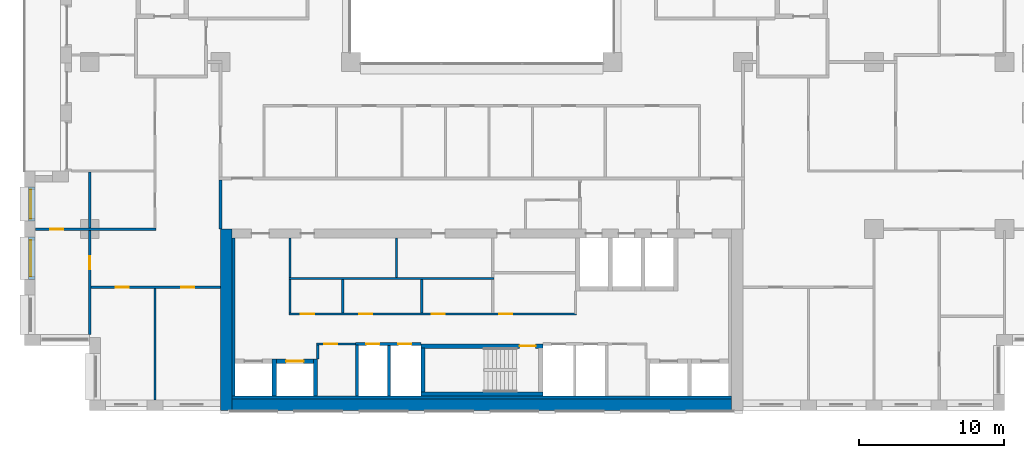
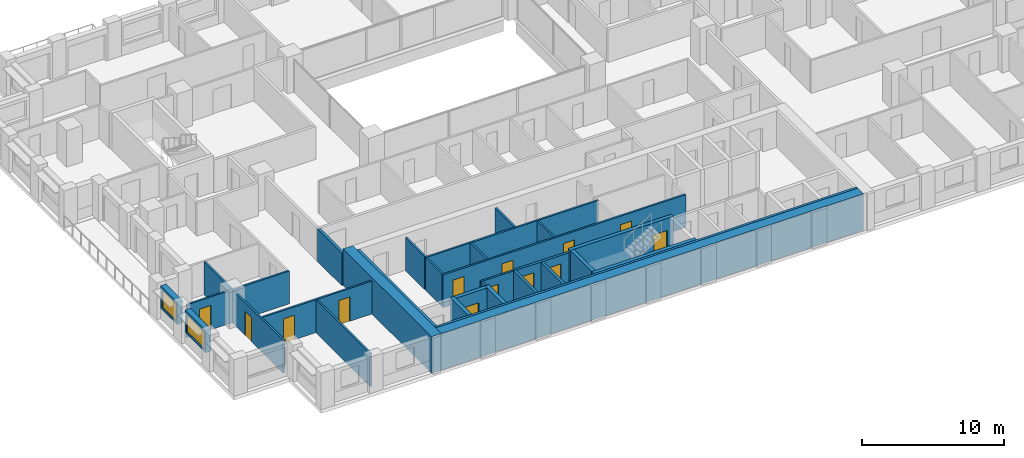
# One storey, part 8 of 16: 30 walls, 13 doors, 2 windows, 15 openings.
"""IFC4 building model written with IfcOpenShell, lengths in metres."""

from ifc_helpers import new_model, si_unit, direction, frame, frame_2d, origin, place, context, subcontext, project, spatial, rectangle, extrude, material, layer, layer_set, type_object, element, fill, save


model = new_model("IFC4")

# Units and contexts
model_context = context("Model", 3, precision=1e-05, world=origin(), true_north=direction((0.0, 1.0)))
body_context = subcontext(model_context, "Body", "Model", "MODEL_VIEW")
ifc_project = project(units=[si_unit("LENGTHUNIT", "METRE"), si_unit("AREAUNIT", "SQUARE_METRE"), si_unit("VOLUMEUNIT", "CUBIC_METRE"), si_unit("PLANEANGLEUNIT", "RADIAN"), si_unit("MASSUNIT", "GRAM", prefix="KILO")], contexts=[model_context])

# Site, building, storey
site_placement = place(None, origin())
site = spatial("IfcSite", under=ifc_project, at=site_placement, CompositionType="ELEMENT")
building_placement = place(site_placement, origin())
building = spatial("IfcBuilding", under=site, at=building_placement, Name="Brigalow Station Residences", CompositionType="ELEMENT")
storey_placement = place(building_placement, frame((0.0, 0.0, 108.75)))
storey = spatial("IfcBuildingStorey", under=building, at=storey_placement, Name="L31", CompositionType="ELEMENT", Elevation=108.75)

# Wall, opening, window
ifc_material_1 = material(Name="Clay brick masonry", Category="masonry")
ifc_layer_1 = layer(ifc_material_1, 0.449951171875)
ifc_layer_set_1 = layer_set([ifc_layer_1], Name="BRICK INFILL WALL 450")
wall_type_1 = type_object("IfcWallType", Name="BRICK INFILL WALL 450", PredefinedType="SOLIDWALL", material=ifc_layer_set_1)
wall_1_placement = place(storey_placement, frame((5.02490234375, 15.39990234375, 0.89990234375), z_axis=(0.0, 0.0, 1.0), x_axis=(0.0, -1.0, 0.0)))
wall_1 = element("IfcWall", 1, at=wall_1_placement, inside=storey, type_object=wall_type_1, Name="L31/ewall/W-L31-47", PredefinedType="SOLIDWALL", context=body_context, shape_type="SweptSolid", body=[
    extrude(rectangle(XDim=2.349853515625, YDim=0.449951171875, at=frame_2d((1.1748046875, 0.0))), origin(), (0.0, 0.0, 1.0), 1.93017578125),
])
opening_1_placement = place(wall_1_placement, frame((0.175048828125, 0.0, 0.14990234375)))
opening_1 = element("IfcOpeningElement", 2, at=opening_1_placement, cuts=wall_1, Name="Opening WT-7", PredefinedType="OPENING", context=body_context, shape_type="SweptSolid", body=[
    extrude(rectangle(XDim=2.0, YDim=1.5, at=frame_2d((1.0, 0.75))), frame((0.0, 0.23486328125, 0.0), z_axis=(0.0, -1.0, 0.0), x_axis=(1.0, 0.0, 0.0)), (0.0, 0.0, 1.0), 0.469970703125),
])
ifc_material_2 = material(Name="Anodised aluminium frame with double glazing", Category="aluminium")
window_type_1 = type_object("IfcWindowType", Name="WINDOW 2000x1500", PartitioningType="SINGLE_PANEL", PredefinedType="WINDOW", material=ifc_material_2)
window_1_placement = place(opening_1_placement, origin())
window_1 = element("IfcWindow", 3, at=window_1_placement, inside=storey, type_object=window_type_1, Name="L31/window/W-L31-47", OverallHeight=1.5, OverallWidth=2.0, PartitioningType="SINGLE_PANEL", PredefinedType="WINDOW", context=body_context, shape_type="SweptSolid", body=[
    extrude(rectangle(XDim=2.0, YDim=1.5, at=frame_2d((1.0, 0.75))), frame((0.0, -0.06494140625, 0.0), z_axis=(0.0, -1.0, 0.0), x_axis=(1.0, 0.0, 0.0)), (0.0, 0.0, 1.0), 0.06005859375),
])
fill(opening_1, window_1)

wall_2_placement = place(storey_placement, frame((5.02490234375, 11.949951171875, 0.89990234375), z_axis=(0.0, 0.0, 1.0), x_axis=(0.0, -1.0, 0.0)))
wall_2 = element("IfcWall", 4, at=wall_2_placement, inside=storey, type_object=wall_type_1, Name="L31/ewall/W-L31-48", PredefinedType="SOLIDWALL", context=body_context, shape_type="SweptSolid", body=[
    extrude(rectangle(XDim=2.89990234375, YDim=0.449951171875, at=frame_2d((1.449951171875, 0.0))), origin(), (0.0, 0.0, 1.0), 1.93017578125),
])
opening_2_placement = place(wall_2_placement, frame((0.199951171875, 0.0, 0.14990234375)))
opening_2 = element("IfcOpeningElement", 5, at=opening_2_placement, cuts=wall_2, Name="Opening WT-5", PredefinedType="OPENING", context=body_context, shape_type="SweptSolid", body=[
    extrude(rectangle(XDim=2.5, YDim=1.5, at=frame_2d((1.25, 0.75))), frame((0.0, 0.23486328125, 0.0), z_axis=(0.0, -1.0, 0.0), x_axis=(1.0, 0.0, 0.0)), (0.0, 0.0, 1.0), 0.469970703125),
])
ifc_material_3 = material(Name="Anodised aluminium frame with double glazing", Category="aluminium")
window_type_2 = type_object("IfcWindowType", Name="WINDOW 2500x1500", PartitioningType="SINGLE_PANEL", PredefinedType="WINDOW", material=ifc_material_3)
window_2_placement = place(opening_2_placement, origin())
window_2 = element("IfcWindow", 6, at=window_2_placement, inside=storey, type_object=window_type_2, Name="L31/window/W-L31-48", OverallHeight=1.5, OverallWidth=2.5, PartitioningType="SINGLE_PANEL", PredefinedType="WINDOW", context=body_context, shape_type="SweptSolid", body=[
    extrude(rectangle(XDim=2.5, YDim=1.5, at=frame_2d((1.25, 0.75))), frame((0.0, -0.06494140625, 0.0), z_axis=(0.0, -1.0, 0.0), x_axis=(1.0, 0.0, 0.0)), (0.0, 0.0, 1.0), 0.06005859375),
])
fill(opening_2, window_2)

# Walls
ifc_material_4 = material(Name="Concrete C65", Category="concrete")
ifc_layer_2 = layer(ifc_material_4, 0.199951171875)
ifc_layer_set_2 = layer_set([ifc_layer_2], Name="CORE SHEAR WALL 200 C65")
wall_type_2 = type_object("IfcWallType", Name="CORE SHEAR WALL 200 C65", PredefinedType="SHEAR", material=ifc_layer_set_2)
wall_3_placement = place(storey_placement, frame((18.89990234375, 1.0, 0.0), z_axis=(0.0, 0.0, 1.0), x_axis=(0.0, 1.0, 0.0)))
element("IfcWall", 7, at=wall_3_placement, inside=storey, type_object=wall_type_2, Name="CORE WALL LIN-W L31", PredefinedType="SHEAR", context=body_context, shape_type="SweptSolid", body=[
    extrude(rectangle(XDim=10.89990234375, YDim=0.199951171875, at=frame_2d((5.449951171875, 0.0))), origin(), (0.0, 0.0, 1.0), 3.14990234375),
])
wall_4_placement = place(storey_placement, frame((18.800048828125, 0.89990234375, 0.0), z_axis=(0.0, 0.0, 1.0), x_axis=(1.0, 0.0, 0.0)))
element("IfcWall", 8, at=wall_4_placement, inside=storey, type_object=wall_type_2, Name="CORE WALL LIN-S L31", PredefinedType="SHEAR", context=body_context, shape_type="SweptSolid", body=[
    extrude(rectangle(XDim=34.39990234375, YDim=0.199951171875, at=frame_2d((17.199951171875, 0.0))), origin(), (0.0, 0.0, 1.0), 3.14990234375),
])

# Wall, opening, door
ifc_material_5 = material(Name="Concrete C65", Category="concrete")
ifc_layer_3 = layer(ifc_material_5, 0.300048828125)
ifc_layer_set_3 = layer_set([ifc_layer_3], Name="CORE SHEAR WALL 300 C65")
wall_type_3 = type_object("IfcWallType", Name="CORE SHEAR WALL 300 C65", PredefinedType="SHEAR", material=ifc_layer_set_3)
wall_5_placement = place(storey_placement, frame((21.85009765625, 3.39990234375, 0.0), z_axis=(0.0, 0.0, 1.0), x_axis=(1.0, 0.0, 0.0)))
wall_5 = element("IfcWall", 9, at=wall_5_placement, inside=storey, type_object=wall_type_3, Name="CORE WALL SH-C2-N L31", PredefinedType="SHEAR", context=body_context, shape_type="SweptSolid", body=[
    extrude(rectangle(XDim=2.5498046875, YDim=0.300048828125, at=frame_2d((1.27490234375, 0.0))), origin(), (0.0, 0.0, 1.0), 3.14990234375),
])
opening_3_placement = place(wall_5_placement, frame((0.675048828125, 0.0, 0.0)))
opening_3 = element("IfcOpeningElement", 10, at=opening_3_placement, cuts=wall_5, Name="Opening LD-LB2", PredefinedType="OPENING", context=body_context, shape_type="SweptSolid", body=[
    extrude(rectangle(XDim=1.199951171875, YDim=2.10009765625, at=frame_2d((0.60009765625, 1.050048828125))), frame((0.0, 0.16015625, 0.0), z_axis=(0.0, -1.0, 0.0), x_axis=(1.0, 0.0, 0.0)), (0.0, 0.0, 1.0), 0.320068359375),
])
ifc_material_6 = material(Name="Stainless steel sliding door leaves", Category="steel")
door_type_1 = type_object("IfcDoorType", Name="LIFT LANDING DOOR 1200 x 2100", OperationType="DOUBLE_DOOR_SLIDING", PredefinedType="DOOR", material=ifc_material_6)
door_1_placement = place(opening_3_placement, origin())
door_1 = element("IfcDoor", 11, at=door_1_placement, inside=storey, type_object=door_type_1, Name="LANDING DOOR LB2", OperationType="DOUBLE_DOOR_SLIDING", OverallHeight=2.10009765625, OverallWidth=1.199951171875, PredefinedType="DOOR", context=body_context, shape_type="SweptSolid", body=[
    extrude(rectangle(XDim=1.199951171875, YDim=2.10009765625, at=frame_2d((0.60009765625, 1.050048828125))), frame((0.0, 0.02490234375, 0.0), z_axis=(0.0, -1.0, 0.0), x_axis=(1.0, 0.0, 0.0)), (0.0, 0.0, 1.0), 0.050048828125),
])
fill(opening_3, door_1)

# Walls
for number, where, z_axis, x_axis, name in (
    (12, (21.699951171875, 1.0, 0.0), (0.0, 0.0, 1.0), (0.0, 1.0, 0.0), "CORE WALL SH-C2-W L31"),
    (13, (24.550048828125, 1.0, 0.0), (0.0, 0.0, 1.0), (0.0, 1.0, 0.0), "CORE WALL SH-C2-E L31"),
):
    element("IfcWall", number, at=place(storey_placement, frame(where, z_axis=z_axis, x_axis=x_axis)), inside=storey, type_object=wall_type_3, Name=name, PredefinedType="SHEAR", context=body_context, shape_type="SweptSolid", body=[
        extrude(rectangle(XDim=2.550048828125, YDim=0.300048828125, at=frame_2d((1.27490234375, 0.0))), origin(), (0.0, 0.0, 1.0), 3.14990234375),
    ])
wall_6_placement = place(storey_placement, frame((31.800048828125, 1.14990234375, 0.0), z_axis=(0.0, 0.0, 1.0), x_axis=(1.0, 0.0, 0.0)))
element("IfcWall", 14, at=wall_6_placement, inside=storey, type_object=wall_type_3, Name="CORE WALL ST-S2-S L31", PredefinedType="SHEAR", context=body_context, shape_type="SweptSolid", body=[
    extrude(rectangle(XDim=8.39990234375, YDim=0.300048828125, at=frame_2d((4.199951171875, 0.0))), origin(), (0.0, 0.0, 1.0), 3.14990234375),
])

# Wall, opening, door
wall_7_placement = place(storey_placement, frame((31.800048828125, 4.449951171875, 0.0), z_axis=(0.0, 0.0, 1.0), x_axis=(1.0, 0.0, 0.0)))
wall_7 = element("IfcWall", 15, at=wall_7_placement, inside=storey, type_object=wall_type_3, Name="CORE WALL ST-S2-N L31", PredefinedType="SHEAR", context=body_context, shape_type="SweptSolid", body=[
    extrude(rectangle(XDim=8.39990234375, YDim=0.300048828125, at=frame_2d((4.199951171875, 0.0))), origin(), (0.0, 0.0, 1.0), 3.14990234375),
])
opening_4_placement = place(wall_7_placement, frame((6.800048828125, 0.0, 0.0)))
opening_4 = element("IfcOpeningElement", 16, at=opening_4_placement, cuts=wall_7, Name="Opening D-5001", PredefinedType="OPENING", context=body_context, shape_type="SweptSolid", body=[
    extrude(rectangle(XDim=1.10009765625, YDim=2.10009765625, at=frame_2d((0.550048828125, 1.050048828125))), frame((0.0, 0.16015625, 0.0), z_axis=(0.0, -1.0, 0.0), x_axis=(1.0, 0.0, 0.0)), (0.0, 0.0, 1.0), 0.320068359375),
])
ifc_material_7 = material(Name="Steel fire door leaf in steel frame", Category="steel")
door_type_2 = type_object("IfcDoorType", Name="STAIR DOOR 1100 x 2100 FD60S", OperationType="SINGLE_SWING_LEFT", PredefinedType="DOOR", material=ifc_material_7)
door_2_placement = place(opening_4_placement, frame((1.10009765625, 0.0, 0.0), z_axis=(0.0, 0.0, 1.0), x_axis=(-1.0, 0.0, 0.0)))
door_2 = element("IfcDoor", 17, at=door_2_placement, inside=storey, type_object=door_type_2, Name="D-5001", OperationType="SINGLE_SWING_LEFT", OverallHeight=2.10009765625, OverallWidth=1.10009765625, PredefinedType="DOOR", context=body_context, shape_type="SweptSolid", body=[
    extrude(rectangle(XDim=1.10009765625, YDim=2.10009765625, at=frame_2d((0.550048828125, 1.050048828125))), frame((0.0, 0.02490234375, 0.0), z_axis=(0.0, -1.0, 0.0), x_axis=(1.0, 0.0, 0.0)), (0.0, 0.0, 1.0), 0.050048828125),
])
fill(opening_4, door_2)

# Walls
wall_8_placement = place(storey_placement, frame((31.949951171875, 1.300048828125, 0.0), z_axis=(0.0, 0.0, 1.0), x_axis=(0.0, 1.0, 0.0)))
element("IfcWall", 18, at=wall_8_placement, inside=storey, type_object=wall_type_3, Name="CORE WALL ST-S2-W L31", PredefinedType="SHEAR", context=body_context, shape_type="SweptSolid", body=[
    extrude(rectangle(XDim=3.0, YDim=0.300048828125, at=frame_2d((1.5, 0.0))), origin(), (0.0, 0.0, 1.0), 3.14990234375),
])
ifc_material_8 = material(Name="Concrete C65", Category="concrete")
ifc_layer_4 = layer(ifc_material_8, 0.800048828125)
ifc_layer_set_4 = layer_set([ifc_layer_4], Name="CORE SHEAR WALL 800 C65")
wall_type_4 = type_object("IfcWallType", Name="CORE SHEAR WALL 800 C65", PredefinedType="SHEAR", material=ifc_layer_set_4)
wall_9_placement = place(storey_placement, frame((18.39990234375, 0.0, 0.0), z_axis=(0.0, 0.0, 1.0), x_axis=(0.0, 1.0, 0.0)))
element("IfcWall", 19, at=wall_9_placement, inside=storey, type_object=wall_type_4, Name="CORE WALL OUT-W L31", PredefinedType="SHEAR", context=body_context, shape_type="SweptSolid", body=[
    extrude(rectangle(XDim=12.5, YDim=0.800048828125, at=frame_2d((6.25, 0.0))), origin(), (0.0, 0.0, 1.0), 3.14990234375),
])
wall_10_placement = place(storey_placement, frame((18.800048828125, 0.39990234375, 0.0), z_axis=(0.0, 0.0, 1.0), x_axis=(1.0, 0.0, 0.0)))
element("IfcWall", 20, at=wall_10_placement, inside=storey, type_object=wall_type_4, Name="CORE WALL OUT-S L31", PredefinedType="SHEAR", context=body_context, shape_type="SweptSolid", body=[
    extrude(rectangle(XDim=34.39990234375, YDim=0.800048828125, at=frame_2d((17.199951171875, 0.0))), origin(), (0.0, 0.0, 1.0), 3.14990234375),
])

# Wall, openings, doors
ifc_material_9 = material(Name="Concrete blockwork", Category="masonry")
ifc_layer_5 = layer(ifc_material_9, 0.199951171875)
ifc_layer_set_5 = layer_set([ifc_layer_5], Name="FIRE RATED CORE PARTITION 200")
wall_type_5 = type_object("IfcWallType", Name="FIRE RATED CORE PARTITION 200", PredefinedType="PARTITIONING", material=ifc_layer_set_5)
wall_11_placement = place(storey_placement, frame((27.300048828125, 4.60009765625, 0.0), z_axis=(0.0, 0.0, 1.0), x_axis=(1.0, 0.0, 0.0)))
wall_11 = element("IfcWall", 21, at=wall_11_placement, inside=storey, type_object=wall_type_5, Name="PW-5017", PredefinedType="PARTITIONING", context=body_context, shape_type="SweptSolid", body=[
    extrude(rectangle(XDim=4.5, YDim=0.199951171875, at=frame_2d((2.25, 0.0))), origin(), (0.0, 0.0, 1.0), 2.830078125),
])
opening_5_placement = place(wall_11_placement, frame((0.75, 0.0, 0.0)))
opening_5 = element("IfcOpeningElement", 22, at=opening_5_placement, cuts=wall_11, Name="Opening D-5007", PredefinedType="OPENING", context=body_context, shape_type="SweptSolid", body=[
    extrude(rectangle(XDim=0.89990234375, YDim=2.10009765625, at=frame_2d((0.449951171875, 1.050048828125))), frame((0.0, 0.10986328125, 0.0), z_axis=(0.0, -1.0, 0.0), x_axis=(1.0, 0.0, 0.0)), (0.0, 0.0, 1.0), 0.219970703125),
])
opening_6_placement = place(wall_11_placement, frame((2.949951171875, 0.0, 0.0)))
opening_6 = element("IfcOpeningElement", 23, at=opening_6_placement, cuts=wall_11, Name="Opening D-5008", PredefinedType="OPENING", context=body_context, shape_type="SweptSolid", body=[
    extrude(rectangle(XDim=0.89990234375, YDim=2.10009765625, at=frame_2d((0.449951171875, 1.050048828125))), frame((0.0, 0.10986328125, 0.0), z_axis=(0.0, -1.0, 0.0), x_axis=(1.0, 0.0, 0.0)), (0.0, 0.0, 1.0), 0.219970703125),
])
ifc_material_10 = material(Name="Steel fire door leaf in steel frame", Category="steel")
door_type_3 = type_object("IfcDoorType", Name="RISER ACCESS DOOR 900 x 2100 FD120", OperationType="SINGLE_SWING_LEFT", PredefinedType="DOOR", material=ifc_material_10)
door_3_placement = place(opening_5_placement, frame((0.89990234375, 0.0, 0.0), z_axis=(0.0, 0.0, 1.0), x_axis=(-1.0, 0.0, 0.0)))
door_3 = element("IfcDoor", 24, at=door_3_placement, inside=storey, type_object=door_type_3, Name="D-5007", OperationType="SINGLE_SWING_RIGHT", OverallHeight=2.10009765625, OverallWidth=0.89990234375, PredefinedType="DOOR", context=body_context, shape_type="SweptSolid", body=[
    extrude(rectangle(XDim=0.89990234375, YDim=2.10009765625, at=frame_2d((0.449951171875, 1.050048828125))), frame((0.0, 0.02490234375, 0.0), z_axis=(0.0, -1.0, 0.0), x_axis=(1.0, 0.0, 0.0)), (0.0, 0.0, 1.0), 0.050048828125),
])
fill(opening_5, door_3)
door_4_placement = place(opening_6_placement, frame((0.89990234375, 0.0, 0.0), z_axis=(0.0, 0.0, 1.0), x_axis=(-1.0, 0.0, 0.0)))
door_4 = element("IfcDoor", 25, at=door_4_placement, inside=storey, type_object=door_type_3, Name="D-5008", OperationType="SINGLE_SWING_RIGHT", OverallHeight=2.10009765625, OverallWidth=0.89990234375, PredefinedType="DOOR", context=body_context, shape_type="SweptSolid", body=[
    extrude(rectangle(XDim=0.89990234375, YDim=2.10009765625, at=frame_2d((0.449951171875, 1.050048828125))), frame((0.0, 0.02490234375, 0.0), z_axis=(0.0, -1.0, 0.0), x_axis=(1.0, 0.0, 0.0)), (0.0, 0.0, 1.0), 0.050048828125),
])
fill(opening_6, door_4)

# Walls
wall_12_placement = place(storey_placement, frame((27.39990234375, 1.0, 0.0), z_axis=(0.0, 0.0, 1.0), x_axis=(0.0, 1.0, 0.0)))
element("IfcWall", 26, at=wall_12_placement, inside=storey, type_object=wall_type_5, Name="PW-5027", PredefinedType="PARTITIONING", context=body_context, shape_type="SweptSolid", body=[
    extrude(rectangle(XDim=3.52490234375, YDim=0.199951171875, at=frame_2d((1.762451171875, 0.0))), origin(), (0.0, 0.0, 1.0), 2.830078125),
])
wall_13_placement = place(storey_placement, frame((29.60009765625, 1.0, 0.0), z_axis=(0.0, 0.0, 1.0), x_axis=(0.0, 1.0, 0.0)))
element("IfcWall", 27, at=wall_13_placement, inside=storey, type_object=wall_type_5, Name="PW-5006", PredefinedType="PARTITIONING", context=body_context, shape_type="SweptSolid", body=[
    extrude(rectangle(XDim=3.5, YDim=0.199951171875, at=frame_2d((1.75, 0.0))), origin(), (0.0, 0.0, 1.0), 2.830078125),
])
wall_14_placement = place(storey_placement, frame((18.0, 12.5, 0.0), z_axis=(0.0, 0.0, 1.0), x_axis=(0.0, 1.0, 0.0)))
element("IfcWall", 28, at=wall_14_placement, inside=storey, type_object=wall_type_5, Name="PW-5013", PredefinedType="PARTITIONING", context=body_context, shape_type="SweptSolid", body=[
    extrude(rectangle(XDim=3.39990234375, YDim=0.199951171875, at=frame_2d((1.699951171875, 0.0))), origin(), (0.0, 0.0, 1.0), 2.830078125),
])

# Wall, opening, door
ifc_material_11 = material(Name="Plasterboard on steel stud partition", Category="steel")
ifc_layer_6 = layer(ifc_material_11, 0.14990234375)
ifc_layer_set_6 = layer_set([ifc_layer_6], Name="FLAT PARTITION 150")
wall_type_6 = type_object("IfcWallType", Name="FLAT PARTITION 150", PredefinedType="PARTITIONING", material=ifc_layer_set_6)
wall_15_placement = place(storey_placement, frame((5.25, 12.5, 0.0), z_axis=(0.0, 0.0, 1.0), x_axis=(1.0, 0.0, 0.0)))
wall_15 = element("IfcWall", 29, at=wall_15_placement, inside=storey, type_object=wall_type_6, Name="PW-2C11", PredefinedType="PARTITIONING", context=body_context, shape_type="SweptSolid", body=[
    extrude(rectangle(XDim=8.324951171875, YDim=0.14990234375, at=frame_2d((4.16259765625, 0.0))), origin(), (0.0, 0.0, 1.0), 2.830078125),
])
opening_7_placement = place(wall_15_placement, frame((1.02490234375, 0.0, 0.0)))
opening_7 = element("IfcOpeningElement", 30, at=opening_7_placement, cuts=wall_15, Name="Opening D-2C05", PredefinedType="OPENING", context=body_context, shape_type="SweptSolid", body=[
    extrude(rectangle(XDim=0.89990234375, YDim=2.10009765625, at=frame_2d((0.449951171875, 1.050048828125))), frame((0.0, 0.0849609375, 0.0), z_axis=(0.0, -1.0, 0.0), x_axis=(1.0, 0.0, 0.0)), (0.0, 0.0, 1.0), 0.169921875),
])
ifc_material_12 = material(Name="Solid-core timber door leaf", Category="wood")
door_type_4 = type_object("IfcDoorType", Name="INTERNAL DOOR 900 x 2100", OperationType="SINGLE_SWING_LEFT", PredefinedType="DOOR", material=ifc_material_12)
door_5_placement = place(opening_7_placement, origin())
door_5 = element("IfcDoor", 31, at=door_5_placement, inside=storey, type_object=door_type_4, Name="D-2C05", OperationType="SINGLE_SWING_LEFT", OverallHeight=2.10009765625, OverallWidth=0.89990234375, PredefinedType="DOOR", context=body_context, shape_type="SweptSolid", body=[
    extrude(rectangle(XDim=0.89990234375, YDim=2.10009765625, at=frame_2d((0.449951171875, 1.050048828125))), frame((0.0, 0.02490234375, 0.0), z_axis=(0.0, -1.0, 0.0), x_axis=(1.0, 0.0, 0.0)), (0.0, 0.0, 1.0), 0.050048828125),
])
fill(opening_7, door_5)

# Wall, openings, doors
wall_16_placement = place(storey_placement, frame((9.074951171875, 8.5, 0.0), z_axis=(0.0, 0.0, 1.0), x_axis=(1.0, 0.0, 0.0)))
wall_16 = element("IfcWall", 32, at=wall_16_placement, inside=storey, type_object=wall_type_6, Name="PW-2C15", PredefinedType="PARTITIONING", context=body_context, shape_type="SweptSolid", body=[
    extrude(rectangle(XDim=8.925048828125, YDim=0.14990234375, at=frame_2d((4.46240234375, 0.0))), origin(), (0.0, 0.0, 1.0), 2.830078125),
])
opening_8_placement = place(wall_16_placement, frame((1.72509765625, 0.0, 0.0)))
opening_8 = element("IfcOpeningElement", 33, at=opening_8_placement, cuts=wall_16, Name="Opening D-2C06", PredefinedType="OPENING", context=body_context, shape_type="SweptSolid", body=[
    extrude(rectangle(XDim=0.89990234375, YDim=2.10009765625, at=frame_2d((0.449951171875, 1.050048828125))), frame((0.0, 0.0849609375, 0.0), z_axis=(0.0, -1.0, 0.0), x_axis=(1.0, 0.0, 0.0)), (0.0, 0.0, 1.0), 0.169921875),
])
opening_9_placement = place(wall_16_placement, frame((6.22509765625, 0.0, 0.0)))
opening_9 = element("IfcOpeningElement", 34, at=opening_9_placement, cuts=wall_16, Name="Opening D-2C07", PredefinedType="OPENING", context=body_context, shape_type="SweptSolid", body=[
    extrude(rectangle(XDim=0.89990234375, YDim=2.10009765625, at=frame_2d((0.449951171875, 1.050048828125))), frame((0.0, 0.0849609375, 0.0), z_axis=(0.0, -1.0, 0.0), x_axis=(1.0, 0.0, 0.0)), (0.0, 0.0, 1.0), 0.169921875),
])
door_6_placement = place(opening_8_placement, frame((0.89990234375, 0.0, 0.0), z_axis=(0.0, 0.0, 1.0), x_axis=(-1.0, 0.0, 0.0)))
door_6 = element("IfcDoor", 35, at=door_6_placement, inside=storey, type_object=door_type_4, Name="D-2C06", OperationType="SINGLE_SWING_LEFT", OverallHeight=2.10009765625, OverallWidth=0.89990234375, PredefinedType="DOOR", context=body_context, shape_type="SweptSolid", body=[
    extrude(rectangle(XDim=0.89990234375, YDim=2.10009765625, at=frame_2d((0.449951171875, 1.050048828125))), frame((0.0, 0.02490234375, 0.0), z_axis=(0.0, -1.0, 0.0), x_axis=(1.0, 0.0, 0.0)), (0.0, 0.0, 1.0), 0.050048828125),
])
fill(opening_8, door_6)
door_7_placement = place(opening_9_placement, frame((0.89990234375, 0.0, 0.0), z_axis=(0.0, 0.0, 1.0), x_axis=(-1.0, 0.0, 0.0)))
door_7 = element("IfcDoor", 36, at=door_7_placement, inside=storey, type_object=door_type_4, Name="D-2C07", OperationType="SINGLE_SWING_RIGHT", OverallHeight=2.10009765625, OverallWidth=0.89990234375, PredefinedType="DOOR", context=body_context, shape_type="SweptSolid", body=[
    extrude(rectangle(XDim=0.89990234375, YDim=2.10009765625, at=frame_2d((0.449951171875, 1.050048828125))), frame((0.0, 0.02490234375, 0.0), z_axis=(0.0, -1.0, 0.0), x_axis=(1.0, 0.0, 0.0)), (0.0, 0.0, 1.0), 0.050048828125),
])
fill(opening_9, door_7)

# Wall, opening, door
wall_17_placement = place(storey_placement, frame((9.0, 5.25, 0.0), z_axis=(0.0, 0.0, 1.0), x_axis=(0.0, 1.0, 0.0)))
wall_17 = element("IfcWall", 37, at=wall_17_placement, inside=storey, type_object=wall_type_6, Name="PW-2C44", PredefinedType="PARTITIONING", context=body_context, shape_type="SweptSolid", body=[
    extrude(rectangle(XDim=7.175048828125, YDim=0.14990234375, at=frame_2d((3.58740234375, 0.0))), origin(), (0.0, 0.0, 1.0), 2.830078125),
])
opening_10_placement = place(wall_17_placement, frame((4.47509765625, 0.0, 0.0)))
opening_10 = element("IfcOpeningElement", 38, at=opening_10_placement, cuts=wall_17, Name="Opening D-2C04", PredefinedType="OPENING", context=body_context, shape_type="SweptSolid", body=[
    extrude(rectangle(XDim=0.89990234375, YDim=2.10009765625, at=frame_2d((0.449951171875, 1.050048828125))), frame((0.0, 0.0849609375, 0.0), z_axis=(0.0, -1.0, 0.0), x_axis=(1.0, 0.0, 0.0)), (0.0, 0.0, 1.0), 0.169921875),
])
door_8_placement = place(opening_10_placement, origin())
door_8 = element("IfcDoor", 39, at=door_8_placement, inside=storey, type_object=door_type_4, Name="D-2C04", OperationType="SINGLE_SWING_RIGHT", OverallHeight=2.10009765625, OverallWidth=0.89990234375, PredefinedType="DOOR", context=body_context, shape_type="SweptSolid", body=[
    extrude(rectangle(XDim=0.89990234375, YDim=2.10009765625, at=frame_2d((0.449951171875, 1.050048828125))), frame((0.0, 0.02490234375, 0.0), z_axis=(0.0, -1.0, 0.0), x_axis=(1.0, 0.0, 0.0)), (0.0, 0.0, 1.0), 0.050048828125),
])
fill(opening_10, door_8)

# Walls
wall_18_placement = place(storey_placement, frame((9.0, 12.574951171875, 0.0), z_axis=(0.0, 0.0, 1.0), x_axis=(0.0, 1.0, 0.0)))
element("IfcWall", 40, at=wall_18_placement, inside=storey, type_object=wall_type_6, Name="PW-2C45", PredefinedType="PARTITIONING", context=body_context, shape_type="SweptSolid", body=[
    extrude(rectangle(XDim=3.85009765625, YDim=0.14990234375, at=frame_2d((1.925048828125, 0.0))), origin(), (0.0, 0.0, 1.0), 2.830078125),
])
wall_19_placement = place(storey_placement, frame((13.5, 0.75, 0.0), z_axis=(0.0, 0.0, 1.0), x_axis=(0.0, 1.0, 0.0)))
element("IfcWall", 41, at=wall_19_placement, inside=storey, type_object=wall_type_6, Name="PW-2C46", PredefinedType="PARTITIONING", context=body_context, shape_type="SweptSolid", body=[
    extrude(rectangle(XDim=7.675048828125, YDim=0.14990234375, at=frame_2d((3.83740234375, 0.0))), origin(), (0.0, 0.0, 1.0), 2.830078125),
])

# Wall, opening, door
ifc_material_13 = material(Name="Plasterboard on steel studs", Category="steel")
ifc_layer_7 = layer(ifc_material_13, 0.14990234375)
ifc_layer_set_7 = layer_set([ifc_layer_7], Name="SERVICE ROOM PARTITION 150")
wall_type_7 = type_object("IfcWallType", Name="SERVICE ROOM PARTITION 150", PredefinedType="PARTITIONING", material=ifc_layer_set_7)
wall_20_placement = place(storey_placement, frame((24.625, 4.60009765625, 0.0), z_axis=(0.0, 0.0, 1.0), x_axis=(1.0, 0.0, 0.0)))
wall_20 = element("IfcWall", 42, at=wall_20_placement, inside=storey, type_object=wall_type_7, Name="PW-5155", PredefinedType="PARTITIONING", context=body_context, shape_type="SweptSolid", body=[
    extrude(rectangle(XDim=2.675048828125, YDim=0.14990234375, at=frame_2d((1.33740234375, 0.0))), origin(), (0.0, 0.0, 1.0), 2.830078125),
])
opening_11_placement = place(wall_20_placement, frame((0.52490234375, 0.0, 0.0)))
opening_11 = element("IfcOpeningElement", 43, at=opening_11_placement, cuts=wall_20, Name="Opening D-5087", PredefinedType="OPENING", context=body_context, shape_type="SweptSolid", body=[
    extrude(rectangle(XDim=0.89990234375, YDim=2.10009765625, at=frame_2d((0.449951171875, 1.050048828125))), frame((0.0, 0.0849609375, 0.0), z_axis=(0.0, -1.0, 0.0), x_axis=(1.0, 0.0, 0.0)), (0.0, 0.0, 1.0), 0.169921875),
])
ifc_material_14 = material(Name="Steel door leaf in steel frame", Category="steel")
door_type_5 = type_object("IfcDoorType", Name="SERVICE ROOM DOOR 900 x 2100 FD60", OperationType="SINGLE_SWING_LEFT", PredefinedType="DOOR", material=ifc_material_14)
door_9_placement = place(opening_11_placement, frame((0.89990234375, 0.0, 0.0), z_axis=(0.0, 0.0, 1.0), x_axis=(-1.0, 0.0, 0.0)))
door_9 = element("IfcDoor", 44, at=door_9_placement, inside=storey, type_object=door_type_5, Name="D-5087", OperationType="SINGLE_SWING_RIGHT", OverallHeight=2.10009765625, OverallWidth=0.89990234375, PredefinedType="DOOR", context=body_context, shape_type="SweptSolid", body=[
    extrude(rectangle(XDim=0.89990234375, YDim=2.10009765625, at=frame_2d((0.449951171875, 1.050048828125))), frame((0.0, 0.02490234375, 0.0), z_axis=(0.0, -1.0, 0.0), x_axis=(1.0, 0.0, 0.0)), (0.0, 0.0, 1.0), 0.050048828125),
])
fill(opening_11, door_9)

# Wall, openings, doors
wall_21_placement = place(storey_placement, frame((22.72509765625, 6.64990234375, 0.0), z_axis=(0.0, 0.0, 1.0), x_axis=(1.0, 0.0, 0.0)))
wall_21 = element("IfcWall", 45, at=wall_21_placement, inside=storey, type_object=wall_type_7, Name="PW-5195", PredefinedType="PARTITIONING", context=body_context, shape_type="SweptSolid", body=[
    extrude(rectangle(XDim=19.7998046875, YDim=0.14990234375, at=frame_2d((9.89990234375, 0.0))), origin(), (0.0, 0.0, 1.0), 2.830078125),
])
opening_12_placement = place(wall_21_placement, frame((0.824951171875, 0.0, 0.0)))
opening_12 = element("IfcOpeningElement", 46, at=opening_12_placement, cuts=wall_21, Name="Opening D-5110", PredefinedType="OPENING", context=body_context, shape_type="SweptSolid", body=[
    extrude(rectangle(XDim=0.89990234375, YDim=2.10009765625, at=frame_2d((0.449951171875, 1.050048828125))), frame((0.0, 0.0849609375, 0.0), z_axis=(0.0, -1.0, 0.0), x_axis=(1.0, 0.0, 0.0)), (0.0, 0.0, 1.0), 0.169921875),
])
opening_13_placement = place(wall_21_placement, frame((4.824951171875, 0.0, 0.0)))
opening_13 = element("IfcOpeningElement", 47, at=opening_13_placement, cuts=wall_21, Name="Opening D-5116", PredefinedType="OPENING", context=body_context, shape_type="SweptSolid", body=[
    extrude(rectangle(XDim=0.89990234375, YDim=2.10009765625, at=frame_2d((0.449951171875, 1.050048828125))), frame((0.0, 0.0849609375, 0.0), z_axis=(0.0, -1.0, 0.0), x_axis=(1.0, 0.0, 0.0)), (0.0, 0.0, 1.0), 0.169921875),
])
opening_14_placement = place(wall_21_placement, frame((9.824951171875, 0.0, 0.0)))
opening_14 = element("IfcOpeningElement", 48, at=opening_14_placement, cuts=wall_21, Name="Opening D-5117", PredefinedType="OPENING", context=body_context, shape_type="SweptSolid", body=[
    extrude(rectangle(XDim=0.89990234375, YDim=2.10009765625, at=frame_2d((0.449951171875, 1.050048828125))), frame((0.0, 0.0849609375, 0.0), z_axis=(0.0, -1.0, 0.0), x_axis=(1.0, 0.0, 0.0)), (0.0, 0.0, 1.0), 0.169921875),
])
opening_15_placement = place(wall_21_placement, frame((14.47509765625, 0.0, 0.0)))
opening_15 = element("IfcOpeningElement", 49, at=opening_15_placement, cuts=wall_21, Name="Opening D-5114", PredefinedType="OPENING", context=body_context, shape_type="SweptSolid", body=[
    extrude(rectangle(XDim=0.89990234375, YDim=2.10009765625, at=frame_2d((0.449951171875, 1.050048828125))), frame((0.0, 0.0849609375, 0.0), z_axis=(0.0, -1.0, 0.0), x_axis=(1.0, 0.0, 0.0)), (0.0, 0.0, 1.0), 0.169921875),
])
door_10_placement = place(opening_12_placement, origin())
door_10 = element("IfcDoor", 50, at=door_10_placement, inside=storey, type_object=door_type_5, Name="D-5110", OperationType="SINGLE_SWING_LEFT", OverallHeight=2.10009765625, OverallWidth=0.89990234375, PredefinedType="DOOR", context=body_context, shape_type="SweptSolid", body=[
    extrude(rectangle(XDim=0.89990234375, YDim=2.10009765625, at=frame_2d((0.449951171875, 1.050048828125))), frame((0.0, 0.02490234375, 0.0), z_axis=(0.0, -1.0, 0.0), x_axis=(1.0, 0.0, 0.0)), (0.0, 0.0, 1.0), 0.050048828125),
])
fill(opening_12, door_10)
door_11_placement = place(opening_13_placement, origin())
door_11 = element("IfcDoor", 51, at=door_11_placement, inside=storey, type_object=door_type_5, Name="D-5116", OperationType="SINGLE_SWING_LEFT", OverallHeight=2.10009765625, OverallWidth=0.89990234375, PredefinedType="DOOR", context=body_context, shape_type="SweptSolid", body=[
    extrude(rectangle(XDim=0.89990234375, YDim=2.10009765625, at=frame_2d((0.449951171875, 1.050048828125))), frame((0.0, 0.02490234375, 0.0), z_axis=(0.0, -1.0, 0.0), x_axis=(1.0, 0.0, 0.0)), (0.0, 0.0, 1.0), 0.050048828125),
])
fill(opening_13, door_11)
door_12_placement = place(opening_14_placement, origin())
door_12 = element("IfcDoor", 52, at=door_12_placement, inside=storey, type_object=door_type_5, Name="D-5117", OperationType="SINGLE_SWING_LEFT", OverallHeight=2.10009765625, OverallWidth=0.89990234375, PredefinedType="DOOR", context=body_context, shape_type="SweptSolid", body=[
    extrude(rectangle(XDim=0.89990234375, YDim=2.10009765625, at=frame_2d((0.449951171875, 1.050048828125))), frame((0.0, 0.02490234375, 0.0), z_axis=(0.0, -1.0, 0.0), x_axis=(1.0, 0.0, 0.0)), (0.0, 0.0, 1.0), 0.050048828125),
])
fill(opening_14, door_12)
door_13_placement = place(opening_15_placement, origin())
door_13 = element("IfcDoor", 53, at=door_13_placement, inside=storey, type_object=door_type_5, Name="D-5114", OperationType="SINGLE_SWING_LEFT", OverallHeight=2.10009765625, OverallWidth=0.89990234375, PredefinedType="DOOR", context=body_context, shape_type="SweptSolid", body=[
    extrude(rectangle(XDim=0.89990234375, YDim=2.10009765625, at=frame_2d((0.449951171875, 1.050048828125))), frame((0.0, 0.02490234375, 0.0), z_axis=(0.0, -1.0, 0.0), x_axis=(1.0, 0.0, 0.0)), (0.0, 0.0, 1.0), 0.050048828125),
])
fill(opening_15, door_13)

# Walls
wall_22_placement = place(storey_placement, frame((22.72509765625, 9.110107421875, 0.0), z_axis=(0.0, 0.0, 1.0), x_axis=(1.0, 0.0, 0.0)))
element("IfcWall", 54, at=wall_22_placement, inside=storey, type_object=wall_type_7, Name="PW-5214", PredefinedType="PARTITIONING", context=body_context, shape_type="SweptSolid", body=[
    extrude(rectangle(XDim=14.099853515625, YDim=0.14990234375, at=frame_2d((7.0498046875, 0.0))), origin(), (0.0, 0.0, 1.0), 2.830078125),
])
wall_23_placement = place(storey_placement, frame((24.699951171875, 3.550048828125, 0.0), z_axis=(0.0, 0.0, 1.0), x_axis=(0.0, 1.0, 0.0)))
element("IfcWall", 55, at=wall_23_placement, inside=storey, type_object=wall_type_7, Name="PW-5157", PredefinedType="PARTITIONING", context=body_context, shape_type="SweptSolid", body=[
    extrude(rectangle(XDim=0.974853515625, YDim=0.14990234375, at=frame_2d((0.4873046875, 0.0))), origin(), (0.0, 0.0, 1.0), 2.830078125),
])
for number, where, z_axis, x_axis, name in (
    (56, (22.800048828125, 6.72509765625, 0.0), (0.0, 0.0, 1.0), (0.0, 1.0, 0.0), "PW-5216"),
    (57, (26.429931640625, 6.72509765625, 0.0), (0.0, 0.0, 1.0), (0.0, 1.0, 0.0), "PW-5217"),
    (58, (31.8701171875, 6.72509765625, 0.0), (0.0, 0.0, 1.0), (0.0, 1.0, 0.0), "PW-5218"),
):
    element("IfcWall", number, at=place(storey_placement, frame(where, z_axis=z_axis, x_axis=x_axis)), inside=storey, type_object=wall_type_7, Name=name, PredefinedType="PARTITIONING", context=body_context, shape_type="SweptSolid", body=[
        extrude(rectangle(XDim=2.309814453125, YDim=0.14990234375, at=frame_2d((1.15478515625, 0.0))), origin(), (0.0, 0.0, 1.0), 2.830078125),
    ])
for number, where, z_axis, x_axis, name in (
    (59, (22.800048828125, 9.18505859375, 0.0), (0.0, 0.0, 1.0), (0.0, 1.0, 0.0), "PW-5220"),
    (60, (30.1201171875, 9.18505859375, 0.0), (0.0, 0.0, 1.0), (0.0, 1.0, 0.0), "PW-5221"),
):
    element("IfcWall", number, at=place(storey_placement, frame(where, z_axis=z_axis, x_axis=x_axis)), inside=storey, type_object=wall_type_7, Name=name, PredefinedType="PARTITIONING", context=body_context, shape_type="SweptSolid", body=[
        extrude(rectangle(XDim=2.71484375, YDim=0.14990234375, at=frame_2d((1.357421875, 0.0))), origin(), (0.0, 0.0, 1.0), 2.830078125),
    ])

save(model, "model.ifc")
